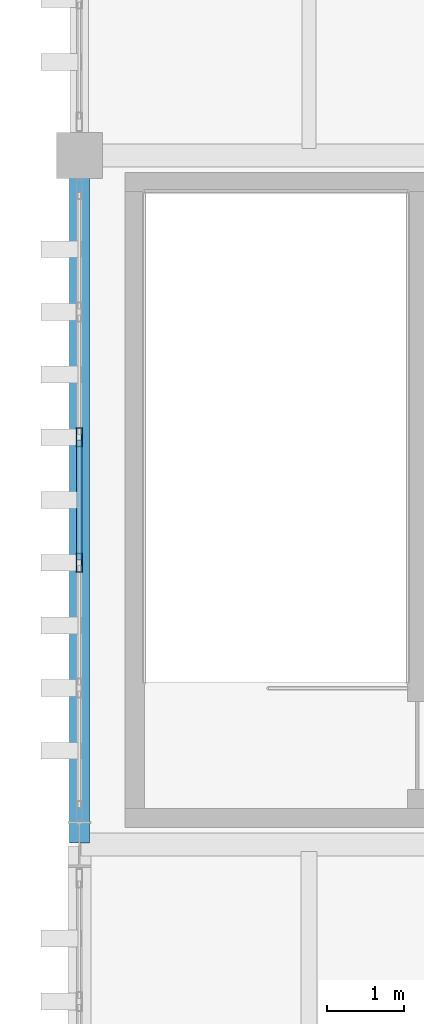
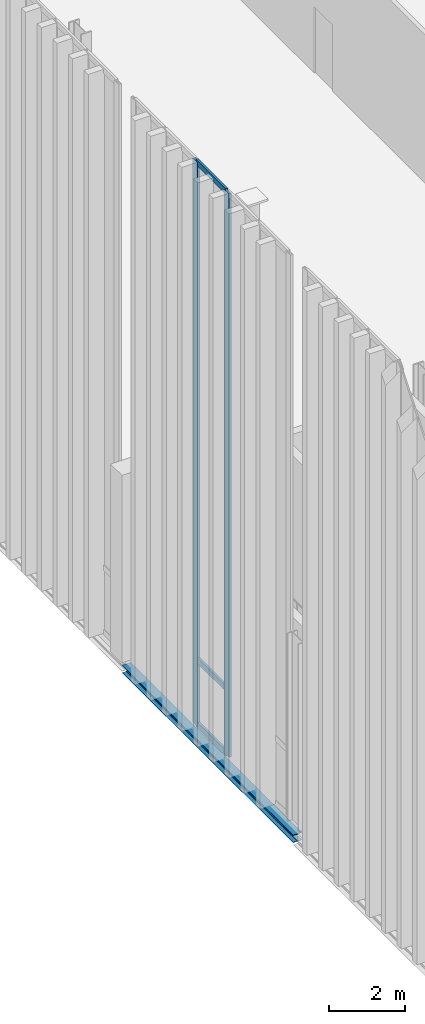
# One storey, part 38 of 237: 5 members, 1 beam, 1 element without a shape of its own.
"""IFC4 building model written with IfcOpenShell, lengths in metres."""

from ifc_helpers import new_model, si_unit, direction, frame, origin, origin_2d, place, context, subcontext, project, spatial, hollow_rectangle, i_section, extrude, material, layer, layer_set, material_profile, profile_set, type_object, element, aggregate, save


model = new_model("IFC4")

# Units and contexts
model_context = context("Model", 3, precision=1e-05, world=origin(), true_north=direction((0.0, 1.0)))
body_context = subcontext(model_context, "Body", "Model", "MODEL_VIEW")
ifc_project = project(units=[si_unit("LENGTHUNIT", "METRE"), si_unit("AREAUNIT", "SQUARE_METRE"), si_unit("VOLUMEUNIT", "CUBIC_METRE"), si_unit("PLANEANGLEUNIT", "RADIAN"), si_unit("MASSUNIT", "GRAM", prefix="KILO")], contexts=[model_context])

# Site, building, storey
site_placement = place(None, origin())
site = spatial("IfcSite", under=ifc_project, at=site_placement, CompositionType="ELEMENT")
building_placement = place(site_placement, origin())
building = spatial("IfcBuilding", under=site, at=building_placement, Name="Barlavento Convention Centre", CompositionType="ELEMENT")
storey_placement = place(building_placement, frame((0.0, 0.0, 12.0)))
storey = spatial("IfcBuildingStorey", under=building, at=storey_placement, Name="L02", CompositionType="ELEMENT", Elevation=12.0)

# Curtain wall, members
ifc_material_1 = material(Name="Powder-coated aluminium and Low-E glass", Category="aluminium")
ifc_layer = layer(ifc_material_1, 0.18994140625)
ifc_layer_set = layer_set([ifc_layer], Name="ARC-CW-CONG-L02")
curtain_wall_type = type_object("IfcCurtainWallType", Name="ARC-CW-CONG-L02", PredefinedType="NOTDEFINED", material=ifc_layer_set)
curtain_wall_placement = place(storey_placement, origin())
curtain_wall = element("IfcCurtainWall", 1, at=curtain_wall_placement, inside=storey, type_object=curtain_wall_type, Name="L02 unitised curtain wall CW02", PredefinedType="NOTDEFINED")
ifc_material_2 = material(Name="Powder-coated aluminium", Category="aluminium")
ifc_material_profile_1 = material_profile(ifc_material_2, hollow_rectangle(XDim=0.074951171875, YDim=0.25, WallThickness=0.006103515625, at=origin_2d()), Name="AL-MULL 75x250x6")
ifc_profile_set_1 = profile_set([ifc_material_profile_1], Name="Powder-coated aluminium")
member_type_1 = type_object("IfcMemberType", Name="ARC-CWM-75X250", PredefinedType="MULLION", material=ifc_profile_set_1)
member_1_placement = place(storey_placement, frame((0.0, 21.680908203125, 0.0), z_axis=(0.0, 0.0, 1.0), x_axis=(-1.0, 0.0, 0.0)))
member_1 = element("IfcMember", 2, at=member_1_placement, type_object=member_type_1, Name="CW02 mullion 3", PredefinedType="MULLION", context=body_context, shape_type="SweptSolid", body=[
    extrude(hollow_rectangle(XDim=0.074951171875, YDim=0.25, WallThickness=0.006103515625, at=origin_2d()), origin(), (0.0, 0.0, 1.0), 18.037109375),
])
member_2_placement = place(storey_placement, frame((0.0, 23.319091796875, 0.0), z_axis=(0.0, 0.0, 1.0), x_axis=(-1.0, 0.0, 0.0)))
member_2 = element("IfcMember", 3, at=member_2_placement, type_object=member_type_1, Name="CW02 mullion 4", PredefinedType="MULLION", context=body_context, shape_type="SweptSolid", body=[
    extrude(hollow_rectangle(XDim=0.074951171875, YDim=0.25, WallThickness=0.006103515625, at=origin_2d()), origin(), (0.0, 0.0, 1.0), 18.037109375),
])
ifc_material_profile_2 = material_profile(ifc_material_2, hollow_rectangle(XDim=0.070068359375, YDim=0.179931640625, WallThickness=0.0048828125, at=origin_2d()), Name="AL-TRAN 70x180x5")
ifc_profile_set_2 = profile_set([ifc_material_profile_2], Name="Powder-coated aluminium")
member_type_2 = type_object("IfcMemberType", Name="ARC-CWT-70X180", PredefinedType="USERDEFINED", material=ifc_profile_set_2)
member_3_placement = place(storey_placement, frame((0.0, 21.718505859375, 0.034912109375), z_axis=(0.0, 1.0, 0.0), x_axis=(-1.0, 0.0, 0.0)))
member_3 = element("IfcMember", 4, at=member_3_placement, type_object=member_type_2, Name="CW02 transom 3.1", ObjectType="TRANSOM", PredefinedType="USERDEFINED", context=body_context, shape_type="SweptSolid", body=[
    extrude(hollow_rectangle(XDim=0.070068359375, YDim=0.179931640625, WallThickness=0.0048828125, at=origin_2d()), origin(), (0.0, 0.0, 1.0), 1.56298828125),
])
member_4_placement = place(storey_placement, frame((0.0, 21.718505859375, 2.10009765625), z_axis=(0.0, 1.0, 0.0), x_axis=(-1.0, 0.0, 0.0)))
member_4 = element("IfcMember", 5, at=member_4_placement, type_object=member_type_2, Name="CW02 transom 3.2", ObjectType="TRANSOM", PredefinedType="USERDEFINED", context=body_context, shape_type="SweptSolid", body=[
    extrude(hollow_rectangle(XDim=0.070068359375, YDim=0.179931640625, WallThickness=0.0048828125, at=origin_2d()), origin(), (0.0, 0.0, 1.0), 1.56298828125),
])
member_5_placement = place(storey_placement, frame((0.0, 21.718505859375, 18.001953125), z_axis=(0.0, 1.0, 0.0), x_axis=(-1.0, 0.0, 0.0)))
member_5 = element("IfcMember", 6, at=member_5_placement, type_object=member_type_2, Name="CW02 transom 3.3", ObjectType="TRANSOM", PredefinedType="USERDEFINED", context=body_context, shape_type="SweptSolid", body=[
    extrude(hollow_rectangle(XDim=0.070068359375, YDim=0.179931640625, WallThickness=0.0048828125, at=origin_2d()), origin(), (0.0, 0.0, 1.0), 1.56298828125),
])
aggregate(curtain_wall, [member_1, member_2, member_3, member_4, member_5])

# Beam
ifc_material_3 = material(Name="Steel S355", Category="steel")
ifc_material_profile_3 = material_profile(ifc_material_3, i_section(OverallWidth=0.260009765625, OverallDepth=0.25, WebThickness=0.007568359375, FlangeThickness=0.012451171875, FilletRadius=0.02392578125, at=origin_2d()), Name="HEA 260")
ifc_profile_set_3 = profile_set([ifc_material_profile_3], Name="Steel S355")
beam_type = type_object("IfcBeamType", Name="STR-BM-SPN-HEA260", PredefinedType="SPANDREL", material=ifc_profile_set_3)
beam_placement = place(storey_placement, frame((0.0, 18.02001953125, -0.425048828125), z_axis=(0.0, 1.0, 0.0), x_axis=(-1.0, 0.0, 0.0)))
element("IfcBeam", 7, at=beam_placement, inside=storey, type_object=beam_type, Name="L02 grid girder SP04", PredefinedType="SPANDREL", context=body_context, shape_type="SweptSolid", body=[
    extrude(i_section(OverallWidth=0.260009765625, OverallDepth=0.25, WebThickness=0.007568359375, FlangeThickness=0.012451171875, FilletRadius=0.02392578125, at=origin_2d()), origin(), (0.0, 0.0, 1.0), 8.9599609375),
])

save(model, "model.ifc")
